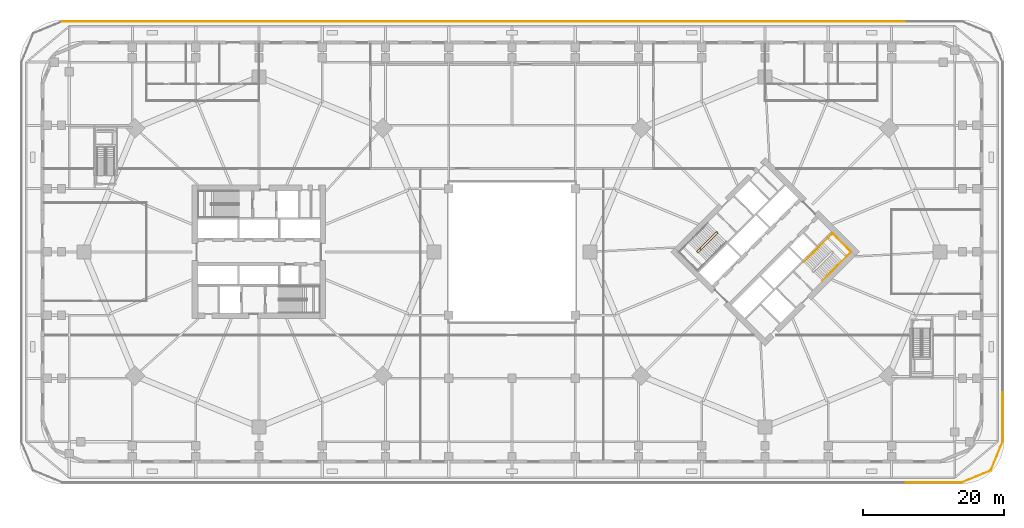
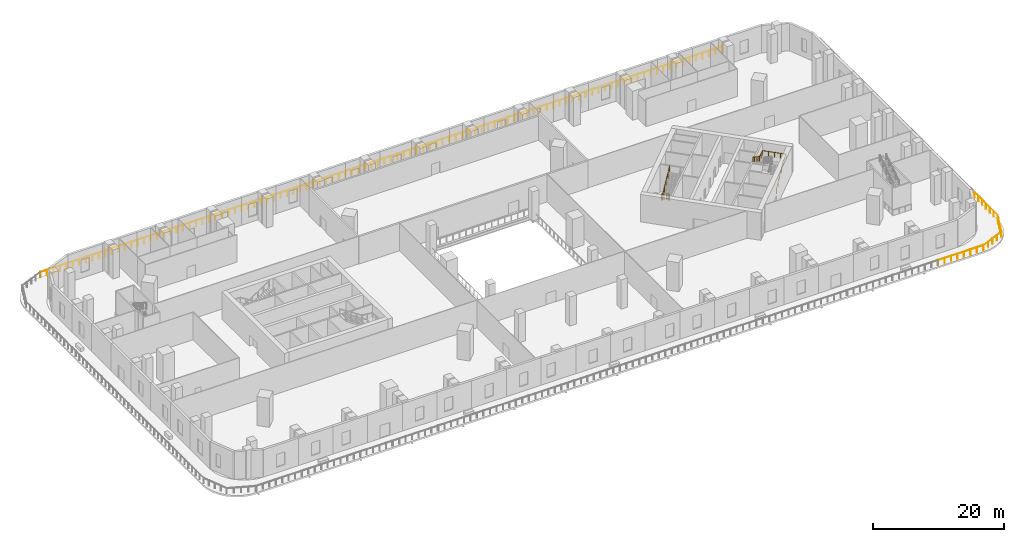
# One storey, part 16 of 19: 20 railings.
"""IFC4 building model written with IfcOpenShell, lengths in metres."""

from ifc_helpers import new_model, si_unit, direction, frame, origin, origin_2d, place, context, subcontext, project, spatial, circle, extrude, material, type_object, element, save


model = new_model("IFC4")

# Units and contexts
model_context = context("Model", 3, precision=1e-05, world=origin(), true_north=direction((0.0, 1.0)))
body_context = subcontext(model_context, "Body", "Model", "MODEL_VIEW")
ifc_project = project(units=[si_unit("LENGTHUNIT", "METRE"), si_unit("AREAUNIT", "SQUARE_METRE"), si_unit("VOLUMEUNIT", "CUBIC_METRE"), si_unit("PLANEANGLEUNIT", "RADIAN"), si_unit("MASSUNIT", "GRAM", prefix="KILO")], contexts=[model_context])

# Site, building, storey
site_placement = place(None, origin())
site = spatial("IfcSite", under=ifc_project, at=site_placement, CompositionType="ELEMENT")
building_placement = place(site_placement, origin())
building = spatial("IfcBuilding", under=site, at=building_placement, Name="Ogive Gate Towers", CompositionType="ELEMENT")
storey_placement = place(building_placement, frame((0.0, 0.0, 12.60009765625)))
storey = spatial("IfcBuildingStorey", under=building, at=storey_placement, Name="L02", CompositionType="ELEMENT", Elevation=12.60009765625)

# Railings
ifc_material = material(Name="Stainless steel", Category="steel")
railing_type_1 = type_object("IfcRailingType", Name="Guard 1100", PredefinedType="GUARDRAIL", material=ifc_material)
railing_1_placement = place(storey_placement, frame((64.0, -32.800048828125, 0.0)))
element("IfcRailing", 1, at=railing_1_placement, inside=storey, type_object=railing_type_1, Name="Terrace guard", PredefinedType="GUARDRAIL", context=body_context, shape_type="SweptSolid", body=[
    extrude(circle(Radius=0.02392578125, at=origin_2d()), frame((0.0, 0.0, 1.076171875), z_axis=(0.923886797369, 0.382665892976, 0.0), x_axis=(-0.382665892976, 0.923886797369, 0.0)), (0.0, 0.0, 1.0), 4.439208984375),
    extrude(circle(Radius=0.02392578125, at=origin_2d()), frame((4.101318359375, 1.69873046875, 1.076171875), z_axis=(0.382628940528, 0.923902101887, 0.0), x_axis=(-0.923902101887, 0.382628940528, 0.0)), (0.0, 0.0, 1.0), 3.5009765625),
    extrude(circle(Radius=0.02099609375, at=origin_2d()), origin(), (0.0, 0.0, 1.0), 1.052001953125),
    extrude(circle(Radius=0.02099609375, at=origin_2d()), frame((1.025390625, 0.4248046875, 0.0)), (0.0, 0.0, 1.0), 1.052001953125),
    extrude(circle(Radius=0.02099609375, at=origin_2d()), frame((2.05078125, 0.849365234375, 0.0)), (0.0, 0.0, 1.0), 1.052001953125),
    extrude(circle(Radius=0.02099609375, at=origin_2d()), frame((3.075927734375, 1.27392578125, 0.0)), (0.0, 0.0, 1.0), 1.052001953125),
    extrude(circle(Radius=0.02099609375, at=origin_2d()), frame((4.101318359375, 1.69873046875, 0.0)), (0.0, 0.0, 1.0), 1.052001953125),
    extrude(circle(Radius=0.02099609375, at=origin_2d()), frame((4.5478515625, 2.77685546875, 0.0)), (0.0, 0.0, 1.0), 1.052001953125),
    extrude(circle(Radius=0.02099609375, at=origin_2d()), frame((4.994384765625, 3.855224609375, 0.0)), (0.0, 0.0, 1.0), 1.052001953125),
    extrude(circle(Radius=0.02099609375, at=origin_2d()), frame((5.44091796875, 4.933349609375, 0.0)), (0.0, 0.0, 1.0), 1.052001953125),
])
railing_2_placement = place(storey_placement, frame((69.460205078125, -27.8203125, 0.0)))
element("IfcRailing", 2, at=railing_2_placement, inside=storey, type_object=railing_type_1, Name="Terrace guard", PredefinedType="GUARDRAIL", context=body_context, shape_type="SweptSolid", body=[
    extrude(circle(Radius=0.02392578125, at=origin_2d()), frame((0.0, 0.0, 1.076171875), z_axis=(0.38274032778, 0.923855963606, 0.0), x_axis=(-0.923855963606, 0.38274032778, 0.0)), (0.0, 0.0, 1.0), 0.887939453125),
    extrude(circle(Radius=0.02392578125, at=origin_2d()), frame((0.33984375, 0.8203125, 1.076171875), z_axis=(0.0, 1.0, 0.0), x_axis=(-1.0, 0.0, 0.0)), (0.0, 0.0, 1.0), 7.05224609375),
    extrude(circle(Radius=0.02099609375, at=origin_2d()), origin(), (0.0, 0.0, 1.0), 1.052001953125),
    extrude(circle(Radius=0.02099609375, at=origin_2d()), frame((0.33984375, 0.8203125, 0.0)), (0.0, 0.0, 1.0), 1.052001953125),
    extrude(circle(Radius=0.02099609375, at=origin_2d()), frame((0.33984375, 1.99560546875, 0.0)), (0.0, 0.0, 1.0), 1.052001953125),
    extrude(circle(Radius=0.02099609375, at=origin_2d()), frame((0.33984375, 3.171142578125, 0.0)), (0.0, 0.0, 1.0), 1.052001953125),
    extrude(circle(Radius=0.02099609375, at=origin_2d()), frame((0.33984375, 4.346435546875, 0.0)), (0.0, 0.0, 1.0), 1.052001953125),
    extrude(circle(Radius=0.02099609375, at=origin_2d()), frame((0.33984375, 5.521728515625, 0.0)), (0.0, 0.0, 1.0), 1.052001953125),
    extrude(circle(Radius=0.02099609375, at=origin_2d()), frame((0.33984375, 6.697265625, 0.0)), (0.0, 0.0, 1.0), 1.052001953125),
    extrude(circle(Radius=0.02099609375, at=origin_2d()), frame((0.33984375, 7.87255859375, 0.0)), (0.0, 0.0, 1.0), 1.052001953125),
])
railing_3_placement = place(storey_placement, frame((55.85400390625, 32.800048828125, 0.0)))
element("IfcRailing", 3, at=railing_3_placement, inside=storey, type_object=railing_type_1, Name="Terrace guard", PredefinedType="GUARDRAIL", context=body_context, shape_type="SweptSolid", body=[
    extrude(circle(Radius=0.02392578125, at=origin_2d()), frame((0.0, 0.0, 1.076171875), z_axis=(-1.0, 0.0, 0.0), x_axis=(0.0, -1.0, 0.0)), (0.0, 0.0, 1.0), 7.9404296875),
    extrude(circle(Radius=0.02099609375, at=origin_2d()), origin(), (0.0, 0.0, 1.0), 1.052001953125),
    extrude(circle(Radius=0.02099609375, at=origin_2d()), frame((-1.13427734375, 0.0, 0.0)), (0.0, 0.0, 1.0), 1.052001953125),
    extrude(circle(Radius=0.02099609375, at=origin_2d()), frame((-2.268798828125, 0.0, 0.0)), (0.0, 0.0, 1.0), 1.052001953125),
    extrude(circle(Radius=0.02099609375, at=origin_2d()), frame((-3.403076171875, 0.0, 0.0)), (0.0, 0.0, 1.0), 1.052001953125),
    extrude(circle(Radius=0.02099609375, at=origin_2d()), frame((-4.537353515625, 0.0, 0.0)), (0.0, 0.0, 1.0), 1.052001953125),
    extrude(circle(Radius=0.02099609375, at=origin_2d()), frame((-5.671630859375, 0.0, 0.0)), (0.0, 0.0, 1.0), 1.052001953125),
    extrude(circle(Radius=0.02099609375, at=origin_2d()), frame((-6.80615234375, 0.0, 0.0)), (0.0, 0.0, 1.0), 1.052001953125),
    extrude(circle(Radius=0.02099609375, at=origin_2d()), frame((-7.9404296875, 0.0, 0.0)), (0.0, 0.0, 1.0), 1.052001953125),
])
for number, where, name in (
    (4, (47.863525390625, 32.800048828125, 0.0), "Terrace guard"),
    (5, (39.873291015625, 32.800048828125, 0.0), "Terrace guard"),
    (6, (31.883056640625, 32.800048828125, 0.0), "Terrace guard"),
    (7, (23.892822265625, 32.800048828125, 0.0), "Terrace guard"),
    (8, (15.902587890625, 32.800048828125, 0.0), "Terrace guard"),
    (9, (7.912353515625, 32.800048828125, 0.0), "Terrace guard"),
):
    element("IfcRailing", number, at=place(storey_placement, frame(where)), inside=storey, type_object=railing_type_1, Name=name, PredefinedType="GUARDRAIL", context=body_context, shape_type="SweptSolid", body=[
        extrude(circle(Radius=0.02392578125, at=origin_2d()), frame((0.0, 0.0, 1.076171875), z_axis=(-1.0, 0.0, 0.0), x_axis=(0.0, -1.0, 0.0)), (0.0, 0.0, 1.0), 7.940185546875),
        extrude(circle(Radius=0.02099609375, at=origin_2d()), origin(), (0.0, 0.0, 1.0), 1.052001953125),
        extrude(circle(Radius=0.02099609375, at=origin_2d()), frame((-1.13427734375, 0.0, 0.0)), (0.0, 0.0, 1.0), 1.052001953125),
        extrude(circle(Radius=0.02099609375, at=origin_2d()), frame((-2.2685546875, 0.0, 0.0)), (0.0, 0.0, 1.0), 1.052001953125),
        extrude(circle(Radius=0.02099609375, at=origin_2d()), frame((-3.40283203125, 0.0, 0.0)), (0.0, 0.0, 1.0), 1.052001953125),
        extrude(circle(Radius=0.02099609375, at=origin_2d()), frame((-4.537353515625, 0.0, 0.0)), (0.0, 0.0, 1.0), 1.052001953125),
        extrude(circle(Radius=0.02099609375, at=origin_2d()), frame((-5.671630859375, 0.0, 0.0)), (0.0, 0.0, 1.0), 1.052001953125),
        extrude(circle(Radius=0.02099609375, at=origin_2d()), frame((-6.805908203125, 0.0, 0.0)), (0.0, 0.0, 1.0), 1.052001953125),
        extrude(circle(Radius=0.02099609375, at=origin_2d()), frame((-7.940185546875, 0.0, 0.0)), (0.0, 0.0, 1.0), 1.052001953125),
    ])
railing_4_placement = place(storey_placement, frame((-0.077880859375, 32.800048828125, 0.0)))
element("IfcRailing", 10, at=railing_4_placement, inside=storey, type_object=railing_type_1, Name="Terrace guard", PredefinedType="GUARDRAIL", context=body_context, shape_type="SweptSolid", body=[
    extrude(circle(Radius=0.02392578125, at=origin_2d()), frame((0.0, 0.0, 1.076171875), z_axis=(-1.0, 0.0, 0.0), x_axis=(0.0, -1.0, 0.0)), (0.0, 0.0, 1.0), 7.9404296875),
    extrude(circle(Radius=0.02099609375, at=origin_2d()), origin(), (0.0, 0.0, 1.0), 1.052001953125),
    extrude(circle(Radius=0.02099609375, at=origin_2d()), frame((-1.13427734375, 0.0, 0.0)), (0.0, 0.0, 1.0), 1.052001953125),
    extrude(circle(Radius=0.02099609375, at=origin_2d()), frame((-2.268798828125, 0.0, 0.0)), (0.0, 0.0, 1.0), 1.052001953125),
    extrude(circle(Radius=0.02099609375, at=origin_2d()), frame((-3.403076171875, 0.0, 0.0)), (0.0, 0.0, 1.0), 1.052001953125),
    extrude(circle(Radius=0.02099609375, at=origin_2d()), frame((-4.537353515625, 0.0, 0.0)), (0.0, 0.0, 1.0), 1.052001953125),
    extrude(circle(Radius=0.02099609375, at=origin_2d()), frame((-5.671630859375, 0.0, 0.0)), (0.0, 0.0, 1.0), 1.052001953125),
    extrude(circle(Radius=0.02099609375, at=origin_2d()), frame((-6.80615234375, 0.0, 0.0)), (0.0, 0.0, 1.0), 1.052001953125),
    extrude(circle(Radius=0.02099609375, at=origin_2d()), frame((-7.9404296875, 0.0, 0.0)), (0.0, 0.0, 1.0), 1.052001953125),
])
railing_5_placement = place(storey_placement, frame((-8.068115234375, 32.800048828125, 0.0)))
element("IfcRailing", 11, at=railing_5_placement, inside=storey, type_object=railing_type_1, Name="Terrace guard", PredefinedType="GUARDRAIL", context=body_context, shape_type="SweptSolid", body=[
    extrude(circle(Radius=0.02392578125, at=origin_2d()), frame((0.0, 0.0, 1.076171875), z_axis=(-1.0, 0.0, 0.0), x_axis=(0.0, -1.0, 0.0)), (0.0, 0.0, 1.0), 7.940185546875),
    extrude(circle(Radius=0.02099609375, at=origin_2d()), origin(), (0.0, 0.0, 1.0), 1.052001953125),
    extrude(circle(Radius=0.02099609375, at=origin_2d()), frame((-1.13427734375, 0.0, 0.0)), (0.0, 0.0, 1.0), 1.052001953125),
    extrude(circle(Radius=0.02099609375, at=origin_2d()), frame((-2.2685546875, 0.0, 0.0)), (0.0, 0.0, 1.0), 1.052001953125),
    extrude(circle(Radius=0.02099609375, at=origin_2d()), frame((-3.40283203125, 0.0, 0.0)), (0.0, 0.0, 1.0), 1.052001953125),
    extrude(circle(Radius=0.02099609375, at=origin_2d()), frame((-4.537353515625, 0.0, 0.0)), (0.0, 0.0, 1.0), 1.052001953125),
    extrude(circle(Radius=0.02099609375, at=origin_2d()), frame((-5.671630859375, 0.0, 0.0)), (0.0, 0.0, 1.0), 1.052001953125),
    extrude(circle(Radius=0.02099609375, at=origin_2d()), frame((-6.805908203125, 0.0, 0.0)), (0.0, 0.0, 1.0), 1.052001953125),
    extrude(circle(Radius=0.02099609375, at=origin_2d()), frame((-7.940185546875, 0.0, 0.0)), (0.0, 0.0, 1.0), 1.052001953125),
])
for number, where, name in (
    (12, (-16.058349609375, 32.800048828125, 0.0), "Terrace guard"),
    (13, (-24.048583984375, 32.800048828125, 0.0), "Terrace guard"),
):
    element("IfcRailing", number, at=place(storey_placement, frame(where)), inside=storey, type_object=railing_type_1, Name=name, PredefinedType="GUARDRAIL", context=body_context, shape_type="SweptSolid", body=[
        extrude(circle(Radius=0.02392578125, at=origin_2d()), frame((0.0, 0.0, 1.076171875), z_axis=(-1.0, 0.0, 0.0), x_axis=(0.0, -1.0, 0.0)), (0.0, 0.0, 1.0), 7.9404296875),
        extrude(circle(Radius=0.02099609375, at=origin_2d()), origin(), (0.0, 0.0, 1.0), 1.052001953125),
        extrude(circle(Radius=0.02099609375, at=origin_2d()), frame((-1.13427734375, 0.0, 0.0)), (0.0, 0.0, 1.0), 1.052001953125),
        extrude(circle(Radius=0.02099609375, at=origin_2d()), frame((-2.268798828125, 0.0, 0.0)), (0.0, 0.0, 1.0), 1.052001953125),
        extrude(circle(Radius=0.02099609375, at=origin_2d()), frame((-3.403076171875, 0.0, 0.0)), (0.0, 0.0, 1.0), 1.052001953125),
        extrude(circle(Radius=0.02099609375, at=origin_2d()), frame((-4.537353515625, 0.0, 0.0)), (0.0, 0.0, 1.0), 1.052001953125),
        extrude(circle(Radius=0.02099609375, at=origin_2d()), frame((-5.671630859375, 0.0, 0.0)), (0.0, 0.0, 1.0), 1.052001953125),
        extrude(circle(Radius=0.02099609375, at=origin_2d()), frame((-6.80615234375, 0.0, 0.0)), (0.0, 0.0, 1.0), 1.052001953125),
        extrude(circle(Radius=0.02099609375, at=origin_2d()), frame((-7.9404296875, 0.0, 0.0)), (0.0, 0.0, 1.0), 1.052001953125),
    ])
for number, where, name in (
    (14, (-32.0390625, 32.800048828125, 0.0), "Terrace guard"),
    (15, (-40.029296875, 32.800048828125, 0.0), "Terrace guard"),
    (16, (-48.01953125, 32.800048828125, 0.0), "Terrace guard"),
    (17, (-56.009765625, 32.800048828125, 0.0), "Terrace guard"),
):
    element("IfcRailing", number, at=place(storey_placement, frame(where)), inside=storey, type_object=railing_type_1, Name=name, PredefinedType="GUARDRAIL", context=body_context, shape_type="SweptSolid", body=[
        extrude(circle(Radius=0.02392578125, at=origin_2d()), frame((0.0, 0.0, 1.076171875), z_axis=(-1.0, 0.0, 0.0), x_axis=(0.0, -1.0, 0.0)), (0.0, 0.0, 1.0), 7.940185546875),
        extrude(circle(Radius=0.02099609375, at=origin_2d()), origin(), (0.0, 0.0, 1.0), 1.052001953125),
        extrude(circle(Radius=0.02099609375, at=origin_2d()), frame((-1.13427734375, 0.0, 0.0)), (0.0, 0.0, 1.0), 1.052001953125),
        extrude(circle(Radius=0.02099609375, at=origin_2d()), frame((-2.2685546875, 0.0, 0.0)), (0.0, 0.0, 1.0), 1.052001953125),
        extrude(circle(Radius=0.02099609375, at=origin_2d()), frame((-3.40283203125, 0.0, 0.0)), (0.0, 0.0, 1.0), 1.052001953125),
        extrude(circle(Radius=0.02099609375, at=origin_2d()), frame((-4.537353515625, 0.0, 0.0)), (0.0, 0.0, 1.0), 1.052001953125),
        extrude(circle(Radius=0.02099609375, at=origin_2d()), frame((-5.671630859375, 0.0, 0.0)), (0.0, 0.0, 1.0), 1.052001953125),
        extrude(circle(Radius=0.02099609375, at=origin_2d()), frame((-6.805908203125, 0.0, 0.0)), (0.0, 0.0, 1.0), 1.052001953125),
        extrude(circle(Radius=0.02099609375, at=origin_2d()), frame((-7.940185546875, 0.0, 0.0)), (0.0, 0.0, 1.0), 1.052001953125),
    ])
railing_6_placement = place(storey_placement, frame((56.009765625, -32.800048828125, 0.0)))
element("IfcRailing", 18, at=railing_6_placement, inside=storey, type_object=railing_type_1, Name="Terrace guard", PredefinedType="GUARDRAIL", context=body_context, shape_type="SweptSolid", body=[
    extrude(circle(Radius=0.02392578125, at=origin_2d()), frame((0.0, 0.0, 1.076171875), z_axis=(1.0, 0.0, 0.0), x_axis=(0.0, 1.0, 0.0)), (0.0, 0.0, 1.0), 7.940185546875),
    extrude(circle(Radius=0.02099609375, at=origin_2d()), origin(), (0.0, 0.0, 1.0), 1.052001953125),
    extrude(circle(Radius=0.02099609375, at=origin_2d()), frame((1.13427734375, 0.0, 0.0)), (0.0, 0.0, 1.0), 1.052001953125),
    extrude(circle(Radius=0.02099609375, at=origin_2d()), frame((2.2685546875, 0.0, 0.0)), (0.0, 0.0, 1.0), 1.052001953125),
    extrude(circle(Radius=0.02099609375, at=origin_2d()), frame((3.40283203125, 0.0, 0.0)), (0.0, 0.0, 1.0), 1.052001953125),
    extrude(circle(Radius=0.02099609375, at=origin_2d()), frame((4.537353515625, 0.0, 0.0)), (0.0, 0.0, 1.0), 1.052001953125),
    extrude(circle(Radius=0.02099609375, at=origin_2d()), frame((5.671630859375, 0.0, 0.0)), (0.0, 0.0, 1.0), 1.052001953125),
    extrude(circle(Radius=0.02099609375, at=origin_2d()), frame((6.805908203125, 0.0, 0.0)), (0.0, 0.0, 1.0), 1.052001953125),
    extrude(circle(Radius=0.02099609375, at=origin_2d()), frame((7.940185546875, 0.0, 0.0)), (0.0, 0.0, 1.0), 1.052001953125),
])
railing_type_2 = type_object("IfcRailingType", Name="Stair guard 1100", PredefinedType="GUARDRAIL", material=ifc_material)
railing_7_placement = place(storey_placement, frame((29.15869140625, 2.8603515625, 0.0)))
element("IfcRailing", 19, at=railing_7_placement, inside=storey, type_object=railing_type_2, Name="L02 ST1 stair guard 1", PredefinedType="GUARDRAIL", context=body_context, shape_type="SweptSolid", body=[
    extrude(circle(Radius=0.02392578125, at=origin_2d()), frame((0.0, 0.0, 1.076171875), z_axis=(0.707106781187, -0.707106781187, 0.0), x_axis=(0.707106781187, 0.707106781187, 0.0)), (0.0, 0.0, 1.0), 0.14501953125),
    extrude(circle(Radius=0.02392578125, at=origin_2d()), frame((0.1025390625, -0.1025390625, 1.076171875), z_axis=(-0.641307342375, 0.379899977147, 0.666634007518), x_axis=(-0.509669330572, -0.860370369942, 0.0)), (0.0, 0.0, 1.0), 0.27001953125),
    extrude(circle(Radius=0.02392578125, at=origin_2d()), frame((-0.070556640625, 0.0, 1.255859375), z_axis=(-0.594808813858, -0.594808813858, 0.540744810344), x_axis=(0.707106781187, -0.707106781187, 0.0)), (0.0, 0.0, 1.0), 4.66015625),
    extrude(circle(Radius=0.02392578125, at=origin_2d()), frame((-2.842529296875, -2.77197265625, 3.77587890625), z_axis=(0.0, -1.0, 0.0), x_axis=(1.0, 0.0, 0.0)), (0.0, 0.0, 1.0), 0.07080078125),
    extrude(circle(Radius=0.02392578125, at=origin_2d()), frame((-2.842529296875, -2.8427734375, 3.77587890625), z_axis=(0.707106781187, -0.707106781187, 0.0), x_axis=(0.707106781187, 0.707106781187, 0.0)), (0.0, 0.0, 1.0), 0.14501953125),
    extrude(circle(Radius=0.02392578125, at=origin_2d()), frame((-2.739990234375, -2.9453125, 3.77587890625), z_axis=(0.36616015681, 0.0, 0.93055184679), x_axis=(0.0, 1.0, 0.0)), (0.0, 0.0, 1.0), 0.193359375),
    extrude(circle(Radius=0.02392578125, at=origin_2d()), frame((-2.669189453125, -2.9453125, 3.9560546875), z_axis=(0.594774959279, 0.594827348511, 0.540761660325), x_axis=(-0.707137920976, 0.707075640025, 0.0)), (0.0, 0.0, 1.0), 4.66015625),
    extrude(circle(Radius=0.02099609375, at=origin_2d()), origin(), (0.0, 0.0, 1.0), 1.052001953125),
    extrude(circle(Radius=0.02099609375, at=origin_2d()), frame((0.1025390625, -0.1025390625, 0.0)), (0.0, 0.0, 1.0), 1.052001953125),
    extrude(circle(Radius=0.02099609375, at=origin_2d()), frame((-0.070556640625, 0.0, 0.179931640625)), (0.0, 0.0, 1.0), 1.052001953125),
    extrude(circle(Radius=0.02099609375, at=origin_2d()), frame((-0.763671875, -0.69287109375, 0.81005859375)), (0.0, 0.0, 1.0), 1.052001953125),
    extrude(circle(Radius=0.02099609375, at=origin_2d()), frame((-1.45654296875, -1.385986328125, 1.43994140625)), (0.0, 0.0, 1.0), 1.052001953125),
    extrude(circle(Radius=0.02099609375, at=origin_2d()), frame((-2.1494140625, -2.0791015625, 2.06982421875)), (0.0, 0.0, 1.0), 1.052001953125),
    extrude(circle(Radius=0.02099609375, at=origin_2d()), frame((-2.842529296875, -2.77197265625, 2.699951171875)), (0.0, 0.0, 1.0), 1.052001953125),
    extrude(circle(Radius=0.02099609375, at=origin_2d()), frame((-2.842529296875, -2.8427734375, 2.699951171875)), (0.0, 0.0, 1.0), 1.052001953125),
    extrude(circle(Radius=0.02099609375, at=origin_2d()), frame((-2.739990234375, -2.9453125, 2.699951171875)), (0.0, 0.0, 1.0), 1.052001953125),
    extrude(circle(Radius=0.02099609375, at=origin_2d()), frame((-2.669189453125, -2.9453125, 2.8798828125)), (0.0, 0.0, 1.0), 1.052001953125),
    extrude(circle(Radius=0.02099609375, at=origin_2d()), frame((-1.976318359375, -2.25244140625, 3.509765625)), (0.0, 0.0, 1.0), 1.052001953125),
    extrude(circle(Radius=0.02099609375, at=origin_2d()), frame((-1.283203125, -1.559326171875, 4.139892578125)), (0.0, 0.0, 1.0), 1.052001953125),
    extrude(circle(Radius=0.02099609375, at=origin_2d()), frame((-0.59033203125, -0.8662109375, 4.77001953125)), (0.0, 0.0, 1.0), 1.052001953125),
    extrude(circle(Radius=0.02099609375, at=origin_2d()), frame((0.1025390625, -0.17333984375, 5.39990234375)), (0.0, 0.0, 1.0), 1.052001953125),
])
railing_type_3 = type_object("IfcRailingType", Name="Stair handrail 900", PredefinedType="HANDRAIL", material=ifc_material)
railing_8_placement = place(storey_placement, frame((44.142333984375, -4.090576171875, 0.179931640625)))
element("IfcRailing", 20, at=railing_8_placement, inside=storey, type_object=railing_type_3, Name="L02 ST2 stair handrail 1", PredefinedType="HANDRAIL", context=body_context, shape_type="SweptSolid", body=[
    extrude(circle(Radius=0.02392578125, at=origin_2d()), frame((0.0, 0.0, 0.8759765625), z_axis=(0.594827348511, 0.594774959279, 0.540761660325), x_axis=(-0.707075640025, 0.707137920976, 0.0)), (0.0, 0.0, 1.0), 4.66015625),
    extrude(circle(Radius=0.02392578125, at=origin_2d()), frame((2.77197265625, 2.771728515625, 3.39599609375), z_axis=(0.707041323489, 0.707172232825, 0.0), x_axis=(-0.707172232825, 0.707041323489, 0.0)), (0.0, 0.0, 1.0), 1.864990234375),
    extrude(circle(Radius=0.02392578125, at=origin_2d()), frame((4.090576171875, 4.090576171875, 3.39599609375), z_axis=(-0.707106781187, 0.707106781187, 0.0), x_axis=(-0.707106781187, -0.707106781187, 0.0)), (0.0, 0.0, 1.0), 3.72509765625),
    extrude(circle(Radius=0.02392578125, at=origin_2d()), frame((1.45654296875, 6.724609375, 3.39599609375), z_axis=(-0.703773399639, -0.703903703916, 0.096034252089), x_axis=(0.707172232825, -0.707041323489, 0.0)), (0.0, 0.0, 1.0), 1.87353515625),
    extrude(circle(Radius=0.02392578125, at=origin_2d()), frame((0.137939453125, 5.40576171875, 3.57568359375), z_axis=(-0.594827348511, -0.594774959279, 0.540761660325), x_axis=(0.707075640025, -0.707137920976, 0.0)), (0.0, 0.0, 1.0), 4.66015625),
    extrude(circle(Radius=0.02099609375, at=origin_2d()), origin(), (0.0, 0.0, 1.0), 0.851806640625),
    extrude(circle(Radius=0.02099609375, at=origin_2d()), frame((0.69287109375, 0.69287109375, 0.6298828125)), (0.0, 0.0, 1.0), 0.851806640625),
    extrude(circle(Radius=0.02099609375, at=origin_2d()), frame((1.385986328125, 1.3857421875, 1.260009765625)), (0.0, 0.0, 1.0), 0.851806640625),
    extrude(circle(Radius=0.02099609375, at=origin_2d()), frame((2.0791015625, 2.078857421875, 1.89013671875)), (0.0, 0.0, 1.0), 0.851806640625),
    extrude(circle(Radius=0.02099609375, at=origin_2d()), frame((2.77197265625, 2.771728515625, 2.52001953125)), (0.0, 0.0, 1.0), 0.851806640625),
    extrude(circle(Radius=0.02099609375, at=origin_2d()), frame((3.43115234375, 3.43115234375, 2.52001953125)), (0.0, 0.0, 1.0), 0.851806640625),
    extrude(circle(Radius=0.02099609375, at=origin_2d()), frame((4.090576171875, 4.090576171875, 2.52001953125)), (0.0, 0.0, 1.0), 0.851806640625),
    extrude(circle(Radius=0.02099609375, at=origin_2d()), frame((3.43212890625, 4.7490234375, 2.52001953125)), (0.0, 0.0, 1.0), 0.851806640625),
    extrude(circle(Radius=0.02099609375, at=origin_2d()), frame((2.7734375, 5.40771484375, 2.52001953125)), (0.0, 0.0, 1.0), 0.851806640625),
    extrude(circle(Radius=0.02099609375, at=origin_2d()), frame((2.114990234375, 6.066162109375, 2.52001953125)), (0.0, 0.0, 1.0), 0.851806640625),
    extrude(circle(Radius=0.02099609375, at=origin_2d()), frame((1.45654296875, 6.724609375, 2.52001953125)), (0.0, 0.0, 1.0), 0.851806640625),
    extrude(circle(Radius=0.02099609375, at=origin_2d()), frame((0.79736328125, 6.065185546875, 2.60986328125)), (0.0, 0.0, 1.0), 0.851806640625),
    extrude(circle(Radius=0.02099609375, at=origin_2d()), frame((0.137939453125, 5.40576171875, 2.699951171875)), (0.0, 0.0, 1.0), 0.851806640625),
    extrude(circle(Radius=0.02099609375, at=origin_2d()), frame((-0.55517578125, 4.712890625, 3.330078125)), (0.0, 0.0, 1.0), 0.851806640625),
    extrude(circle(Radius=0.02099609375, at=origin_2d()), frame((-1.248046875, 4.02001953125, 3.9599609375)), (0.0, 0.0, 1.0), 0.851806640625),
    extrude(circle(Radius=0.02099609375, at=origin_2d()), frame((-1.94091796875, 3.326904296875, 4.58984375)), (0.0, 0.0, 1.0), 0.851806640625),
    extrude(circle(Radius=0.02099609375, at=origin_2d()), frame((-2.634033203125, 2.634033203125, 5.219970703125)), (0.0, 0.0, 1.0), 0.851806640625),
])

save(model, "model.ifc")
